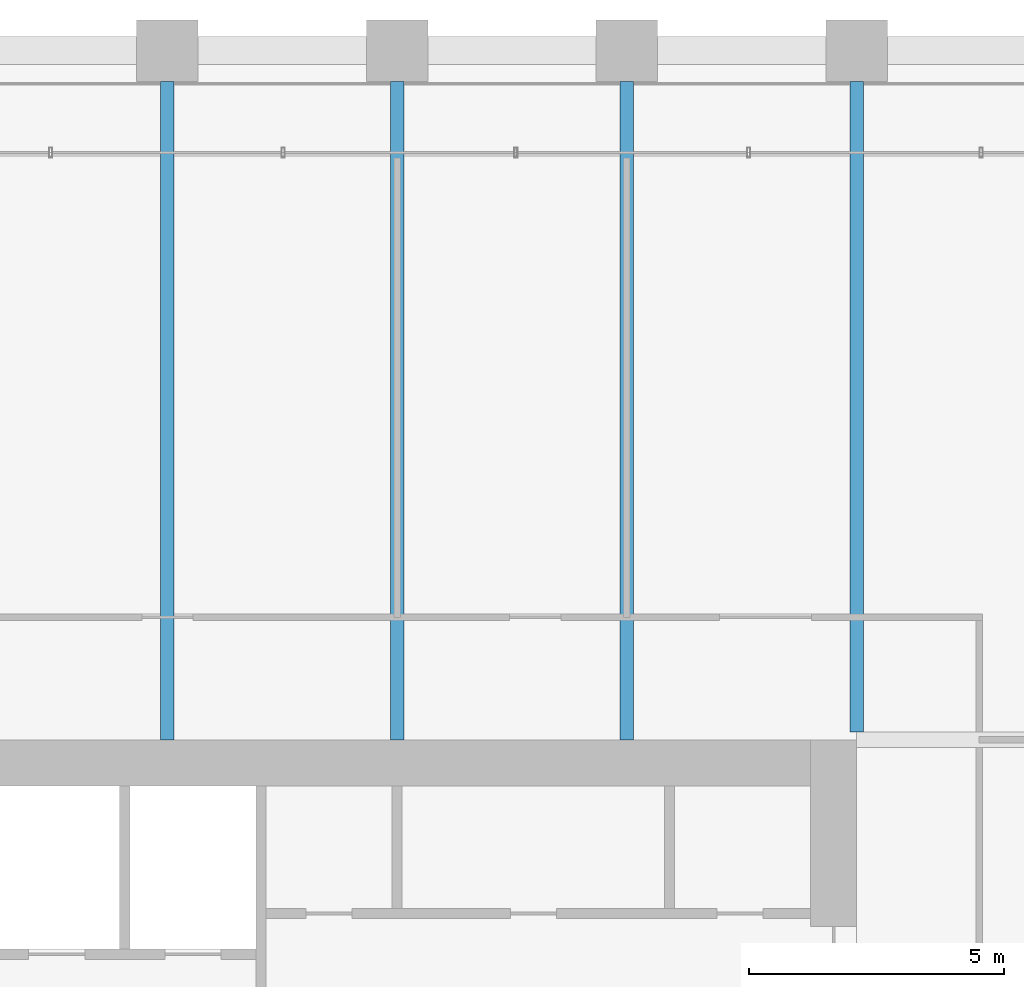
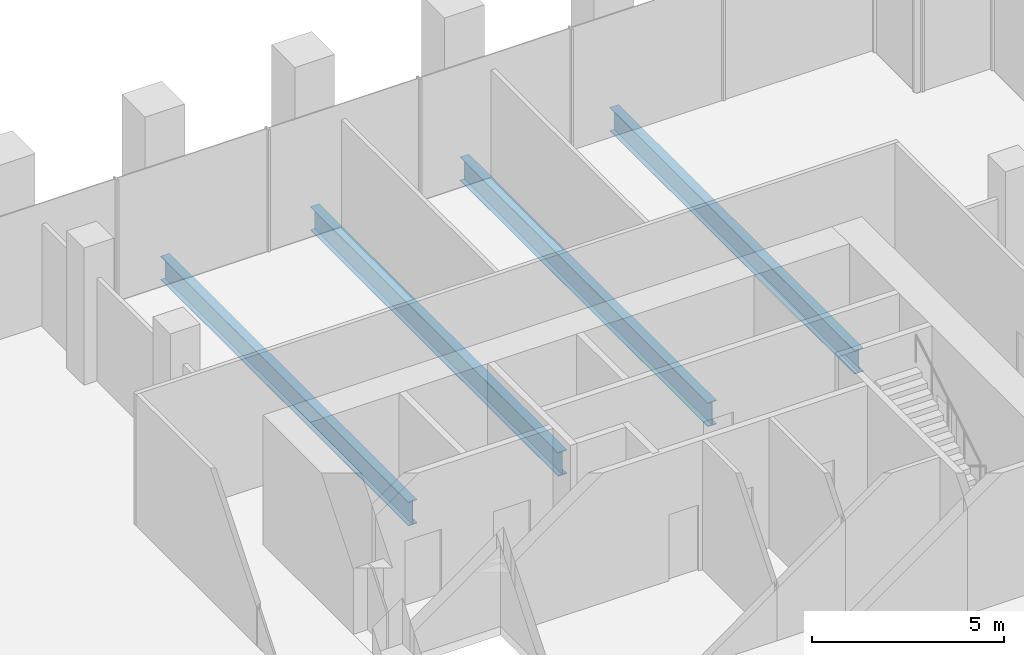
# One storey, part 15 of 36: 4 beams.
"""IFC4 building model written with IfcOpenShell, lengths in metres."""

from ifc_helpers import new_model, si_unit, direction, frame, origin, origin_2d, place, context, subcontext, project, spatial, i_section, extrude, material, material_profile, profile_set, type_object, element, save


model = new_model("IFC4")

# Units and contexts
model_context = context("Model", 3, precision=1e-05, world=origin(), true_north=direction((0.0, 1.0)))
body_context = subcontext(model_context, "Body", "Model", "MODEL_VIEW")
ifc_project = project(units=[si_unit("LENGTHUNIT", "METRE"), si_unit("AREAUNIT", "SQUARE_METRE"), si_unit("VOLUMEUNIT", "CUBIC_METRE"), si_unit("PLANEANGLEUNIT", "RADIAN"), si_unit("MASSUNIT", "GRAM", prefix="KILO")], contexts=[model_context])

# Site, building, storey
site_placement = place(None, origin())
site = spatial("IfcSite", under=ifc_project, at=site_placement, CompositionType="ELEMENT")
building_placement = place(site_placement, origin())
building = spatial("IfcBuilding", under=site, at=building_placement, Name="Altepetl Exchange Towers", CompositionType="ELEMENT")
storey_placement = place(building_placement, frame((0.0, 0.0, 34.199951171875)))
storey = spatial("IfcBuildingStorey", under=building, at=storey_placement, Name="L07", CompositionType="ELEMENT", Elevation=34.199951171875)

# Beams
ifc_material = material(Name="Steel S355", Category="steel")
ifc_material_profile = material_profile(ifc_material, i_section(OverallWidth=0.26611328125, OverallDepth=0.758056640625, WebThickness=0.013916015625, FlangeThickness=0.019287109375, at=origin_2d()), Name="W30X108")
ifc_profile_set = profile_set([ifc_material_profile], Name="Steel S355")
beam_type = type_object("IfcBeamType", Name="Floor beam W30X108", PredefinedType="BEAM", material=ifc_profile_set)
for number, where, z_axis, x_axis, name in (
    (1, (45.0, 58.5, -0.553955078125), (0.0, 1.0, 0.0), (-1.0, 0.0, 0.0), "bm:A:L07:000"),
    (2, (49.5, 58.5, -0.553955078125), (0.0, 1.0, 0.0), (-1.0, 0.0, 0.0), "bm:A:L07:001"),
    (3, (54.0, 58.5, -0.553955078125), (0.0, 1.0, 0.0), (-1.0, 0.0, 0.0), "bm:A:L07:002"),
):
    element("IfcBeam", number, at=place(storey_placement, frame(where, z_axis=z_axis, x_axis=x_axis)), inside=storey, type_object=beam_type, Name=name, PredefinedType="BEAM", context=body_context, shape_type="SweptSolid", body=[
        extrude(i_section(OverallWidth=0.26611328125, OverallDepth=0.758056640625, WebThickness=0.013916015625, FlangeThickness=0.019287109375, at=origin_2d()), origin(), (0.0, 0.0, 1.0), 12.89990234375),
    ])
beam_placement = place(storey_placement, frame((58.5, 58.654052734375, -0.553955078125), z_axis=(0.0, 1.0, 0.0), x_axis=(-1.0, 0.0, 0.0)))
element("IfcBeam", 4, at=beam_placement, inside=storey, type_object=beam_type, Name="bm:A:L07:003", PredefinedType="BEAM", context=body_context, shape_type="SweptSolid", body=[
    extrude(i_section(OverallWidth=0.26611328125, OverallDepth=0.758056640625, WebThickness=0.013916015625, FlangeThickness=0.019287109375, at=origin_2d()), origin(), (0.0, 0.0, 1.0), 12.745849609375),
])

save(model, "model.ifc")
